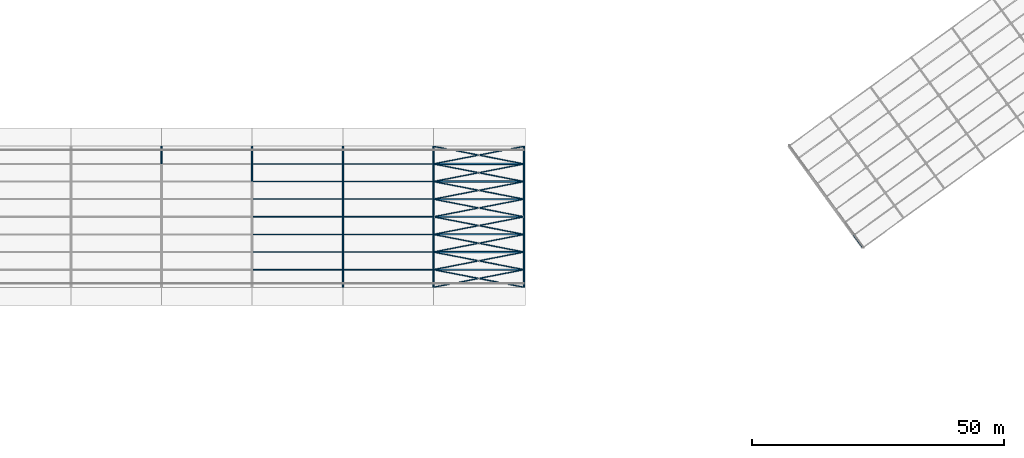
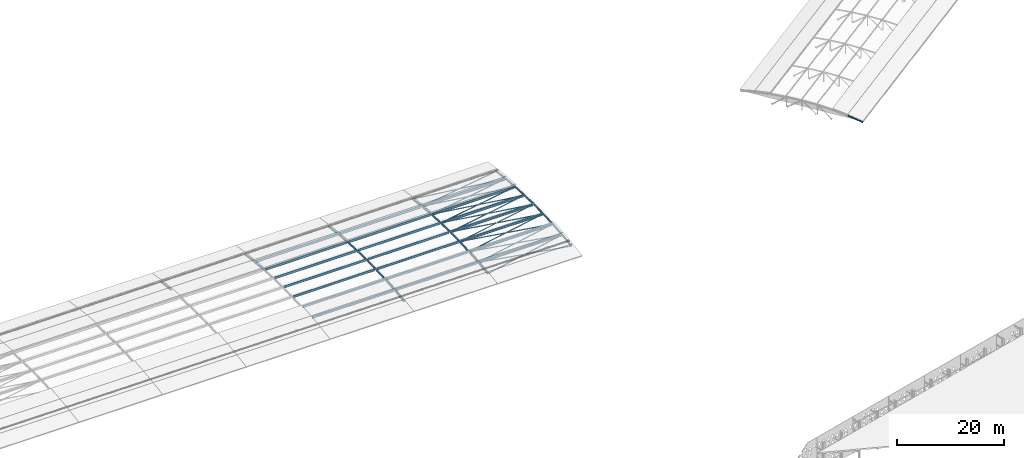
# One storey, part 10 of 41: 73 members.
"""IFC4 building model written with IfcOpenShell, lengths in metres."""

from ifc_helpers import new_model, si_unit, direction, frame, origin, origin_2d, place, context, subcontext, project, spatial, hollow_circle, i_section, extrude, material, material_profile, profile_set, type_object, element, save


model = new_model("IFC4")

# Units and contexts
model_context = context("Model", 3, precision=1e-05, world=origin(), true_north=direction((0.0, 1.0)))
body_context = subcontext(model_context, "Body", "Model", "MODEL_VIEW")
ifc_project = project(units=[si_unit("LENGTHUNIT", "METRE"), si_unit("AREAUNIT", "SQUARE_METRE"), si_unit("VOLUMEUNIT", "CUBIC_METRE"), si_unit("PLANEANGLEUNIT", "RADIAN"), si_unit("MASSUNIT", "GRAM", prefix="KILO")], contexts=[model_context])

# Site, building, storey
site_placement = place(None, origin())
site = spatial("IfcSite", under=ifc_project, at=site_placement, CompositionType="ELEMENT")
building_placement = place(site_placement, origin())
building = spatial("IfcBuilding", under=site, at=building_placement, Name="Okhra Congress Centre", CompositionType="ELEMENT")
storey_placement = place(building_placement, frame((0.0, 0.0, 21.60009765625)))
storey = spatial("IfcBuildingStorey", under=building, at=storey_placement, Name="ROOF", CompositionType="ELEMENT", Elevation=21.60009765625)

# Members
ifc_material_1 = material(Name="Steel S355J2H", Category="steel")
ifc_material_profile_1 = material_profile(ifc_material_1, hollow_circle(Radius=0.06982421875, WallThickness=0.00634765625, at=origin_2d()), Name="CHS 139.7x6.3")
ifc_profile_set_1 = profile_set([ifc_material_profile_1], Name="Steel S355J2H")
member_type_1 = type_object("IfcMemberType", Name="CHS 139.7x6.3", PredefinedType="BRACE", material=ifc_profile_set_1)
member_1_placement = place(storey_placement, frame((136.185546875, 160.0361328125, 0.204833984375), z_axis=(0.981335997403, 0.190809292648, 0.023905523203), x_axis=(-0.190863837306, 0.981616521667, 0.0)))
element("IfcMember", 1, at=member_1_placement, inside=storey, type_object=member_type_1, Name="EH.MEM.ROOF.XB7-09-1", PredefinedType="BRACE", context=body_context, shape_type="SweptSolid", body=[
    extrude(hollow_circle(Radius=0.06982421875, WallThickness=0.00634765625, at=origin_2d()), origin(), (0.0, 0.0, 1.0), 17.964111328125),
])
for number, where, z_axis, x_axis, name in (
    (2, (153.814453125, 160.0361328125, 0.204833984375), (-0.981337831942, 0.190800302671, 0.02390196853), (-0.190854828533, -0.981618273274, 0.0), "EH.MEM.ROOF.XB7-09-2a"),
    (3, (144.8359375, 161.781982421875, 0.423583984375), (-0.981337831942, 0.190800302671, 0.02390196853), (-0.190854828533, -0.981618273274, 0.0), "EH.MEM.ROOF.XB7-09-2b"),
):
    element("IfcMember", number, at=place(storey_placement, frame(where, z_axis=z_axis, x_axis=x_axis)), inside=storey, type_object=member_type_1, Name=name, PredefinedType="BRACE", context=body_context, shape_type="SweptSolid", body=[
        extrude(hollow_circle(Radius=0.06982421875, WallThickness=0.00634765625, at=origin_2d()), origin(), (0.0, 0.0, 1.0), 8.81494140625),
    ])
member_2_placement = place(storey_placement, frame((136.185546875, 163.5361328125, 0.64208984375), z_axis=(0.981474374154, 0.190836198387, 0.017017586922), x_axis=(-0.190863837306, 0.981616521667, 0.0)))
element("IfcMember", 4, at=member_2_placement, inside=storey, type_object=member_type_1, Name="EH.MEM.ROOF.XB7-10-1", PredefinedType="BRACE", context=body_context, shape_type="SweptSolid", body=[
    extrude(hollow_circle(Radius=0.06982421875, WallThickness=0.00634765625, at=origin_2d()), origin(), (0.0, 0.0, 1.0), 17.961669921875),
])
for number, where, z_axis, x_axis, name in (
    (5, (153.814453125, 163.5361328125, 0.64208984375), (-0.981474252507, 0.190837598801, 0.017008896163), (-0.190865209694, -0.981616254821, 0.0), "EH.MEM.ROOF.XB7-10-2a"),
    (6, (144.83544921875, 165.281982421875, 0.7978515625), (-0.981474252507, 0.190837598801, 0.017008896163), (-0.190865209694, -0.981616254821, 0.0), "EH.MEM.ROOF.XB7-10-2b"),
):
    element("IfcMember", number, at=place(storey_placement, frame(where, z_axis=z_axis, x_axis=x_axis)), inside=storey, type_object=member_type_1, Name=name, PredefinedType="BRACE", context=body_context, shape_type="SweptSolid", body=[
        extrude(hollow_circle(Radius=0.06982421875, WallThickness=0.00634765625, at=origin_2d()), origin(), (0.0, 0.0, 1.0), 8.813232421875),
    ])
member_3_placement = place(storey_placement, frame((136.185546875, 167.0361328125, 0.952880859375), z_axis=(0.981565640763, 0.19085394411, 0.010181595736), x_axis=(-0.190863837306, 0.981616521667, 0.0)))
element("IfcMember", 7, at=member_3_placement, inside=storey, type_object=member_type_1, Name="EH.MEM.ROOF.XB7-11-1", PredefinedType="BRACE", context=body_context, shape_type="SweptSolid", body=[
    extrude(hollow_circle(Radius=0.06982421875, WallThickness=0.00634765625, at=origin_2d()), origin(), (0.0, 0.0, 1.0), 17.9599609375),
])
for number, where, z_axis, x_axis, name in (
    (8, (153.814453125, 167.0361328125, 0.952880859375), (-0.981563213618, 0.190865670617, 0.010195756538), (-0.190875591963, -0.981614236038, 0.0), "EH.MEM.ROOF.XB7-11-2a"),
    (9, (144.8349609375, 168.781982421875, 1.046142578125), (-0.981563490516, 0.19086572446, 0.010168053546), (-0.190875591963, -0.981614236038, 0.0), "EH.MEM.ROOF.XB7-11-2b"),
):
    element("IfcMember", number, at=place(storey_placement, frame(where, z_axis=z_axis, x_axis=x_axis)), inside=storey, type_object=member_type_1, Name=name, PredefinedType="BRACE", context=body_context, shape_type="SweptSolid", body=[
        extrude(hollow_circle(Radius=0.06982421875, WallThickness=0.00634765625, at=origin_2d()), origin(), (0.0, 0.0, 1.0), 8.811767578125),
    ])
member_4_placement = place(storey_placement, frame((136.185546875, 170.5361328125, 1.138427734375), z_axis=(0.981610897995, 0.190862743849, 0.003384958919), x_axis=(-0.190863837306, 0.981616521667, 0.0)))
element("IfcMember", 10, at=member_4_placement, inside=storey, type_object=member_type_1, Name="EH.MEM.ROOF.XB7-12-1", PredefinedType="BRACE", context=body_context, shape_type="SweptSolid", body=[
    extrude(hollow_circle(Radius=0.06982421875, WallThickness=0.00634765625, at=origin_2d()), origin(), (0.0, 0.0, 1.0), 17.959228515625),
])
for number, where, z_axis, x_axis, name in (
    (11, (153.814453125, 170.5361328125, 1.138427734375), (-0.981612809395, 0.190852994358, 0.003380381143), (-0.190854084803, -0.981618417876, 0.0), "EH.MEM.ROOF.XB7-12-2a"),
    (12, (144.834716796875, 172.2822265625, 1.16943359375), (-0.981612809395, 0.190852994358, 0.003380381143), (-0.190854084803, -0.981618417876, 0.0), "EH.MEM.ROOF.XB7-12-2b"),
):
    element("IfcMember", number, at=place(storey_placement, frame(where, z_axis=z_axis, x_axis=x_axis)), inside=storey, type_object=member_type_1, Name=name, PredefinedType="BRACE", context=body_context, shape_type="SweptSolid", body=[
        extrude(hollow_circle(Radius=0.06982421875, WallThickness=0.00634765625, at=origin_2d()), origin(), (0.0, 0.0, 1.0), 8.811279296875),
    ])
member_5_placement = place(storey_placement, frame((136.185546875, 174.0361328125, 1.19921875), z_axis=(0.981610897995, 0.190862743849, -0.003384958919), x_axis=(-0.190863837306, 0.981616521667, 0.0)))
element("IfcMember", 13, at=member_5_placement, inside=storey, type_object=member_type_1, Name="EH.MEM.ROOF.XB7-13-1", PredefinedType="BRACE", context=body_context, shape_type="SweptSolid", body=[
    extrude(hollow_circle(Radius=0.06982421875, WallThickness=0.00634765625, at=origin_2d()), origin(), (0.0, 0.0, 1.0), 17.959228515625),
])
for number, where, z_axis, x_axis, name in (
    (14, (153.814453125, 174.0361328125, 1.19921875), (-0.981612809395, 0.190852994358, -0.003380381143), (-0.190854084803, -0.981618417876, 0.0), "EH.MEM.ROOF.XB7-13-2a"),
    (15, (144.834716796875, 175.7822265625, 1.168212890625), (-0.981612809395, 0.190852994358, -0.003380381143), (-0.190854084803, -0.981618417876, 0.0), "EH.MEM.ROOF.XB7-13-2b"),
):
    element("IfcMember", number, at=place(storey_placement, frame(where, z_axis=z_axis, x_axis=x_axis)), inside=storey, type_object=member_type_1, Name=name, PredefinedType="BRACE", context=body_context, shape_type="SweptSolid", body=[
        extrude(hollow_circle(Radius=0.06982421875, WallThickness=0.00634765625, at=origin_2d()), origin(), (0.0, 0.0, 1.0), 8.811279296875),
    ])
member_6_placement = place(storey_placement, frame((136.185546875, 177.5361328125, 1.1357421875), z_axis=(0.981565640763, 0.19085394411, -0.010181595736), x_axis=(-0.190863837306, 0.981616521667, 0.0)))
element("IfcMember", 16, at=member_6_placement, inside=storey, type_object=member_type_1, Name="EH.MEM.ROOF.XB7-14-1", PredefinedType="BRACE", context=body_context, shape_type="SweptSolid", body=[
    extrude(hollow_circle(Radius=0.06982421875, WallThickness=0.00634765625, at=origin_2d()), origin(), (0.0, 0.0, 1.0), 17.9599609375),
])
for number, where, z_axis, x_axis, name in (
    (17, (153.814453125, 177.5361328125, 1.1357421875), (-0.981563490516, 0.19086572446, -0.010168053546), (-0.190875591963, -0.981614236038, 0.0), "EH.MEM.ROOF.XB7-14-2a"),
    (18, (144.8349609375, 179.281982421875, 1.042724609375), (-0.981563213618, 0.190865670617, -0.010195756538), (-0.190875591963, -0.981614236038, 0.0), "EH.MEM.ROOF.XB7-14-2b"),
):
    element("IfcMember", number, at=place(storey_placement, frame(where, z_axis=z_axis, x_axis=x_axis)), inside=storey, type_object=member_type_1, Name=name, PredefinedType="BRACE", context=body_context, shape_type="SweptSolid", body=[
        extrude(hollow_circle(Radius=0.06982421875, WallThickness=0.00634765625, at=origin_2d()), origin(), (0.0, 0.0, 1.0), 8.811767578125),
    ])
member_7_placement = place(storey_placement, frame((136.185546875, 181.0361328125, 0.94775390625), z_axis=(0.981474374154, 0.190836198387, -0.017017586922), x_axis=(-0.190863837306, 0.981616521667, 0.0)))
element("IfcMember", 19, at=member_7_placement, inside=storey, type_object=member_type_1, Name="EH.MEM.ROOF.XB7-15-1", PredefinedType="BRACE", context=body_context, shape_type="SweptSolid", body=[
    extrude(hollow_circle(Radius=0.06982421875, WallThickness=0.00634765625, at=origin_2d()), origin(), (0.0, 0.0, 1.0), 17.961669921875),
])
for number, where, z_axis, x_axis, name in (
    (20, (153.814453125, 181.0361328125, 0.94775390625), (-0.981474252507, 0.190837598801, -0.017008896163), (-0.190865209694, -0.981616254821, 0.0), "EH.MEM.ROOF.XB7-15-2a"),
    (21, (144.83544921875, 182.781982421875, 0.7919921875), (-0.981474252507, 0.190837598801, -0.017008896163), (-0.190865209694, -0.981616254821, 0.0), "EH.MEM.ROOF.XB7-15-2b"),
):
    element("IfcMember", number, at=place(storey_placement, frame(where, z_axis=z_axis, x_axis=x_axis)), inside=storey, type_object=member_type_1, Name=name, PredefinedType="BRACE", context=body_context, shape_type="SweptSolid", body=[
        extrude(hollow_circle(Radius=0.06982421875, WallThickness=0.00634765625, at=origin_2d()), origin(), (0.0, 0.0, 1.0), 8.813232421875),
    ])
member_8_placement = place(storey_placement, frame((136.185546875, 184.5361328125, 0.63427734375), z_axis=(0.981335997403, 0.190809292648, -0.023905523203), x_axis=(-0.190863837306, 0.981616521667, 0.0)))
element("IfcMember", 22, at=member_8_placement, inside=storey, type_object=member_type_1, Name="EH.MEM.ROOF.XB7-16-1", PredefinedType="BRACE", context=body_context, shape_type="SweptSolid", body=[
    extrude(hollow_circle(Radius=0.06982421875, WallThickness=0.00634765625, at=origin_2d()), origin(), (0.0, 0.0, 1.0), 17.964111328125),
])
for number, where, z_axis, x_axis, name in (
    (23, (153.814453125, 184.5361328125, 0.63427734375), (-0.981337831942, 0.190800302671, -0.02390196853), (-0.190854828533, -0.981618273274, 0.0), "EH.MEM.ROOF.XB7-16-2a"),
    (24, (144.8359375, 186.281982421875, 0.41552734375), (-0.981337831942, 0.190800302671, -0.02390196853), (-0.190854828533, -0.981618273274, 0.0), "EH.MEM.ROOF.XB7-16-2b"),
):
    element("IfcMember", number, at=place(storey_placement, frame(where, z_axis=z_axis, x_axis=x_axis)), inside=storey, type_object=member_type_1, Name=name, PredefinedType="BRACE", context=body_context, shape_type="SweptSolid", body=[
        extrude(hollow_circle(Radius=0.06982421875, WallThickness=0.00634765625, at=origin_2d()), origin(), (0.0, 0.0, 1.0), 8.81494140625),
    ])
ifc_material_profile_2 = material_profile(ifc_material_1, hollow_circle(Radius=0.161865234375, WallThickness=0.012451171875, at=origin_2d()), Name="CHS 323.9x12.5")
ifc_profile_set_2 = profile_set([ifc_material_profile_2], Name="Steel S355J2H")
member_type_2 = type_object("IfcMemberType", Name="CHS 323.9x12.5", PredefinedType="CHORD", material=ifc_profile_set_2)
member_9_placement = place(storey_placement, frame((221.260009765625, 167.87744140625, 0.029052734375), z_axis=(-0.575629649566, 0.792326309435, 0.202162127805), x_axis=(-0.80903112876, -0.587765797488, 0.0)))
element("IfcMember", 25, at=member_9_placement, inside=storey, type_object=member_type_2, Name="Truss 1 top chord 6", PredefinedType="CHORD", context=body_context, shape_type="SweptSolid", body=[
    extrude(hollow_circle(Radius=0.161865234375, WallThickness=0.012451171875, at=origin_2d()), origin(), (0.0, 0.0, 1.0), 3.14111328125),
])
ifc_material_profile_3 = material_profile(ifc_material_1, hollow_circle(Radius=0.203125, WallThickness=0.02001953125, at=origin_2d()), Name="CHS 406.4x20.0")
ifc_profile_set_3 = profile_set([ifc_material_profile_3], Name="Steel S355J2H")
member_type_3 = type_object("IfcMemberType", Name="CHS 406.4x20.0", PredefinedType="CHORD", material=ifc_profile_set_3)
member_10_placement = place(storey_placement, frame((82.0, 184.5, 0.638916015625), z_axis=(0.0, 0.992235225695, -0.124375467395), x_axis=(-1.0, 0.0, 0.0)))
element("IfcMember", 26, at=member_10_placement, inside=storey, type_object=member_type_3, Name="EH.MEM.ROOF.T4-TOP-16", PredefinedType="CHORD", context=body_context, shape_type="SweptSolid", body=[
    extrude(hollow_circle(Radius=0.203125, WallThickness=0.02001953125, at=origin_2d()), origin(), (0.0, 0.0, 1.0), 3.52734375),
])
member_11_placement = place(storey_placement, frame((100.0, 181.0, 0.950927734375), z_axis=(0.0, 0.996050004601, -0.088794078256), x_axis=(-1.0, 0.0, 0.0)))
element("IfcMember", 27, at=member_11_placement, inside=storey, type_object=member_type_3, Name="EH.MEM.ROOF.T5-TOP-15", PredefinedType="CHORD", context=body_context, shape_type="SweptSolid", body=[
    extrude(hollow_circle(Radius=0.203125, WallThickness=0.02001953125, at=origin_2d()), origin(), (0.0, 0.0, 1.0), 3.513916015625),
])
for number, where, z_axis, x_axis, name in (
    (28, (100.0, 184.5, 0.638916015625), (0.0, 0.992235225695, -0.124375467395), (-1.0, 0.0, 0.0), "EH.MEM.ROOF.T5-TOP-16"),
    (29, (118.0, 160.0, 0.2001953125), (0.0, 0.992235225695, 0.124375467395), (-1.0, 0.0, 0.0), "EH.MEM.ROOF.T6-TOP-09"),
):
    element("IfcMember", number, at=place(storey_placement, frame(where, z_axis=z_axis, x_axis=x_axis)), inside=storey, type_object=member_type_3, Name=name, PredefinedType="CHORD", context=body_context, shape_type="SweptSolid", body=[
        extrude(hollow_circle(Radius=0.203125, WallThickness=0.02001953125, at=origin_2d()), origin(), (0.0, 0.0, 1.0), 3.52734375),
    ])
member_12_placement = place(storey_placement, frame((118.0, 163.5, 0.638916015625), z_axis=(0.0, 0.996050004601, 0.088794078256), x_axis=(-1.0, 0.0, 0.0)))
element("IfcMember", 30, at=member_12_placement, inside=storey, type_object=member_type_3, Name="EH.MEM.ROOF.T6-TOP-10", PredefinedType="CHORD", context=body_context, shape_type="SweptSolid", body=[
    extrude(hollow_circle(Radius=0.203125, WallThickness=0.02001953125, at=origin_2d()), origin(), (0.0, 0.0, 1.0), 3.513916015625),
])
member_13_placement = place(storey_placement, frame((118.0, 167.0, 0.950927734375), z_axis=(0.0, 0.998579273107, 0.053286352115), x_axis=(-1.0, 0.0, 0.0)))
element("IfcMember", 31, at=member_13_placement, inside=storey, type_object=member_type_3, Name="EH.MEM.ROOF.T6-TOP-11", PredefinedType="CHORD", context=body_context, shape_type="SweptSolid", body=[
    extrude(hollow_circle(Radius=0.203125, WallThickness=0.02001953125, at=origin_2d()), origin(), (0.0, 0.0, 1.0), 3.5048828125),
])
for number, where, z_axis, x_axis, name in (
    (32, (118.0, 170.5, 1.1376953125), (0.0, 0.999841841936, 0.017784575174), (-1.0, 0.0, 0.0), "EH.MEM.ROOF.T6-TOP-12"),
    (33, (118.0, 174.0, 1.199951171875), (0.0, 0.999841841936, -0.017784575174), (-1.0, 0.0, 0.0), "EH.MEM.ROOF.T6-TOP-13"),
):
    element("IfcMember", number, at=place(storey_placement, frame(where, z_axis=z_axis, x_axis=x_axis)), inside=storey, type_object=member_type_3, Name=name, PredefinedType="CHORD", context=body_context, shape_type="SweptSolid", body=[
        extrude(hollow_circle(Radius=0.203125, WallThickness=0.02001953125, at=origin_2d()), origin(), (0.0, 0.0, 1.0), 3.50048828125),
    ])
member_14_placement = place(storey_placement, frame((118.0, 177.5, 1.1376953125), z_axis=(0.0, 0.998579273107, -0.053286352115), x_axis=(-1.0, 0.0, 0.0)))
element("IfcMember", 34, at=member_14_placement, inside=storey, type_object=member_type_3, Name="EH.MEM.ROOF.T6-TOP-14", PredefinedType="CHORD", context=body_context, shape_type="SweptSolid", body=[
    extrude(hollow_circle(Radius=0.203125, WallThickness=0.02001953125, at=origin_2d()), origin(), (0.0, 0.0, 1.0), 3.5048828125),
])
member_15_placement = place(storey_placement, frame((118.0, 181.0, 0.950927734375), z_axis=(0.0, 0.996050004601, -0.088794078256), x_axis=(-1.0, 0.0, 0.0)))
element("IfcMember", 35, at=member_15_placement, inside=storey, type_object=member_type_3, Name="EH.MEM.ROOF.T6-TOP-15", PredefinedType="CHORD", context=body_context, shape_type="SweptSolid", body=[
    extrude(hollow_circle(Radius=0.203125, WallThickness=0.02001953125, at=origin_2d()), origin(), (0.0, 0.0, 1.0), 3.513916015625),
])
for number, where, z_axis, x_axis, name in (
    (36, (118.0, 184.5, 0.638916015625), (0.0, 0.992235225695, -0.124375467395), (-1.0, 0.0, 0.0), "EH.MEM.ROOF.T6-TOP-16"),
    (37, (136.0, 160.0, 0.2001953125), (0.0, 0.992235225695, 0.124375467395), (-1.0, 0.0, 0.0), "EH.MEM.ROOF.T7-TOP-09"),
):
    element("IfcMember", number, at=place(storey_placement, frame(where, z_axis=z_axis, x_axis=x_axis)), inside=storey, type_object=member_type_3, Name=name, PredefinedType="CHORD", context=body_context, shape_type="SweptSolid", body=[
        extrude(hollow_circle(Radius=0.203125, WallThickness=0.02001953125, at=origin_2d()), origin(), (0.0, 0.0, 1.0), 3.52734375),
    ])
member_16_placement = place(storey_placement, frame((136.0, 163.5, 0.638916015625), z_axis=(0.0, 0.996050004601, 0.088794078256), x_axis=(-1.0, 0.0, 0.0)))
element("IfcMember", 38, at=member_16_placement, inside=storey, type_object=member_type_3, Name="EH.MEM.ROOF.T7-TOP-10", PredefinedType="CHORD", context=body_context, shape_type="SweptSolid", body=[
    extrude(hollow_circle(Radius=0.203125, WallThickness=0.02001953125, at=origin_2d()), origin(), (0.0, 0.0, 1.0), 3.513916015625),
])
member_17_placement = place(storey_placement, frame((136.0, 167.0, 0.950927734375), z_axis=(0.0, 0.998579273107, 0.053286352115), x_axis=(-1.0, 0.0, 0.0)))
element("IfcMember", 39, at=member_17_placement, inside=storey, type_object=member_type_3, Name="EH.MEM.ROOF.T7-TOP-11", PredefinedType="CHORD", context=body_context, shape_type="SweptSolid", body=[
    extrude(hollow_circle(Radius=0.203125, WallThickness=0.02001953125, at=origin_2d()), origin(), (0.0, 0.0, 1.0), 3.5048828125),
])
for number, where, z_axis, x_axis, name in (
    (40, (136.0, 170.5, 1.1376953125), (0.0, 0.999841841936, 0.017784575174), (-1.0, 0.0, 0.0), "EH.MEM.ROOF.T7-TOP-12"),
    (41, (136.0, 174.0, 1.199951171875), (0.0, 0.999841841936, -0.017784575174), (-1.0, 0.0, 0.0), "EH.MEM.ROOF.T7-TOP-13"),
):
    element("IfcMember", number, at=place(storey_placement, frame(where, z_axis=z_axis, x_axis=x_axis)), inside=storey, type_object=member_type_3, Name=name, PredefinedType="CHORD", context=body_context, shape_type="SweptSolid", body=[
        extrude(hollow_circle(Radius=0.203125, WallThickness=0.02001953125, at=origin_2d()), origin(), (0.0, 0.0, 1.0), 3.50048828125),
    ])
member_18_placement = place(storey_placement, frame((136.0, 177.5, 1.1376953125), z_axis=(0.0, 0.998579273107, -0.053286352115), x_axis=(-1.0, 0.0, 0.0)))
element("IfcMember", 42, at=member_18_placement, inside=storey, type_object=member_type_3, Name="EH.MEM.ROOF.T7-TOP-14", PredefinedType="CHORD", context=body_context, shape_type="SweptSolid", body=[
    extrude(hollow_circle(Radius=0.203125, WallThickness=0.02001953125, at=origin_2d()), origin(), (0.0, 0.0, 1.0), 3.5048828125),
])
member_19_placement = place(storey_placement, frame((136.0, 181.0, 0.950927734375), z_axis=(0.0, 0.996050004601, -0.088794078256), x_axis=(-1.0, 0.0, 0.0)))
element("IfcMember", 43, at=member_19_placement, inside=storey, type_object=member_type_3, Name="EH.MEM.ROOF.T7-TOP-15", PredefinedType="CHORD", context=body_context, shape_type="SweptSolid", body=[
    extrude(hollow_circle(Radius=0.203125, WallThickness=0.02001953125, at=origin_2d()), origin(), (0.0, 0.0, 1.0), 3.513916015625),
])
for number, where, z_axis, x_axis, name in (
    (44, (136.0, 184.5, 0.638916015625), (0.0, 0.992235225695, -0.124375467395), (-1.0, 0.0, 0.0), "EH.MEM.ROOF.T7-TOP-16"),
    (45, (154.0, 160.0, 0.2001953125), (0.0, 0.992235225695, 0.124375467395), (-1.0, 0.0, 0.0), "EH.MEM.ROOF.T8-TOP-09"),
):
    element("IfcMember", number, at=place(storey_placement, frame(where, z_axis=z_axis, x_axis=x_axis)), inside=storey, type_object=member_type_3, Name=name, PredefinedType="CHORD", context=body_context, shape_type="SweptSolid", body=[
        extrude(hollow_circle(Radius=0.203125, WallThickness=0.02001953125, at=origin_2d()), origin(), (0.0, 0.0, 1.0), 3.52734375),
    ])
member_20_placement = place(storey_placement, frame((154.0, 163.5, 0.638916015625), z_axis=(0.0, 0.996050004601, 0.088794078256), x_axis=(-1.0, 0.0, 0.0)))
element("IfcMember", 46, at=member_20_placement, inside=storey, type_object=member_type_3, Name="EH.MEM.ROOF.T8-TOP-10", PredefinedType="CHORD", context=body_context, shape_type="SweptSolid", body=[
    extrude(hollow_circle(Radius=0.203125, WallThickness=0.02001953125, at=origin_2d()), origin(), (0.0, 0.0, 1.0), 3.513916015625),
])
member_21_placement = place(storey_placement, frame((154.0, 167.0, 0.950927734375), z_axis=(0.0, 0.998579273107, 0.053286352115), x_axis=(-1.0, 0.0, 0.0)))
element("IfcMember", 47, at=member_21_placement, inside=storey, type_object=member_type_3, Name="EH.MEM.ROOF.T8-TOP-11", PredefinedType="CHORD", context=body_context, shape_type="SweptSolid", body=[
    extrude(hollow_circle(Radius=0.203125, WallThickness=0.02001953125, at=origin_2d()), origin(), (0.0, 0.0, 1.0), 3.5048828125),
])
for number, where, z_axis, x_axis, name in (
    (48, (154.0, 170.5, 1.1376953125), (0.0, 0.999841841936, 0.017784575174), (-1.0, 0.0, 0.0), "EH.MEM.ROOF.T8-TOP-12"),
    (49, (154.0, 174.0, 1.199951171875), (0.0, 0.999841841936, -0.017784575174), (-1.0, 0.0, 0.0), "EH.MEM.ROOF.T8-TOP-13"),
):
    element("IfcMember", number, at=place(storey_placement, frame(where, z_axis=z_axis, x_axis=x_axis)), inside=storey, type_object=member_type_3, Name=name, PredefinedType="CHORD", context=body_context, shape_type="SweptSolid", body=[
        extrude(hollow_circle(Radius=0.203125, WallThickness=0.02001953125, at=origin_2d()), origin(), (0.0, 0.0, 1.0), 3.50048828125),
    ])
member_22_placement = place(storey_placement, frame((154.0, 177.5, 1.1376953125), z_axis=(0.0, 0.998579273107, -0.053286352115), x_axis=(-1.0, 0.0, 0.0)))
element("IfcMember", 50, at=member_22_placement, inside=storey, type_object=member_type_3, Name="EH.MEM.ROOF.T8-TOP-14", PredefinedType="CHORD", context=body_context, shape_type="SweptSolid", body=[
    extrude(hollow_circle(Radius=0.203125, WallThickness=0.02001953125, at=origin_2d()), origin(), (0.0, 0.0, 1.0), 3.5048828125),
])
member_23_placement = place(storey_placement, frame((154.0, 181.0, 0.950927734375), z_axis=(0.0, 0.996050004601, -0.088794078256), x_axis=(-1.0, 0.0, 0.0)))
element("IfcMember", 51, at=member_23_placement, inside=storey, type_object=member_type_3, Name="EH.MEM.ROOF.T8-TOP-15", PredefinedType="CHORD", context=body_context, shape_type="SweptSolid", body=[
    extrude(hollow_circle(Radius=0.203125, WallThickness=0.02001953125, at=origin_2d()), origin(), (0.0, 0.0, 1.0), 3.513916015625),
])
member_24_placement = place(storey_placement, frame((154.0, 184.5, 0.638916015625), z_axis=(0.0, 0.992235225695, -0.124375467395), x_axis=(-1.0, 0.0, 0.0)))
element("IfcMember", 52, at=member_24_placement, inside=storey, type_object=member_type_3, Name="EH.MEM.ROOF.T8-TOP-16", PredefinedType="CHORD", context=body_context, shape_type="SweptSolid", body=[
    extrude(hollow_circle(Radius=0.203125, WallThickness=0.02001953125, at=origin_2d()), origin(), (0.0, 0.0, 1.0), 3.52734375),
])
ifc_material_2 = material(Name="Steel S355J2", Category="steel")
ifc_material_profile_4 = material_profile(ifc_material_2, i_section(OverallWidth=0.300048828125, OverallDepth=0.5, WebThickness=0.014404296875, FlangeThickness=0.028076171875, at=origin_2d()), Name="HE 500 B")
ifc_profile_set_4 = profile_set([ifc_material_profile_4], Name="Steel S355J2")
member_type_4 = type_object("IfcMemberType", Name="HE 500 B", PredefinedType="PURLIN", material=ifc_profile_set_4)
for number, where, z_axis, x_axis, name in (
    (53, (136.203125, 163.5, 0.638916015625), (1.0, 0.0, 0.0), (0.0, 0.994301901121, 0.10660079468), "EH.MEM.ROOF.PU7-10"),
    (54, (136.203125, 167.0, 0.950927734375), (1.0, 0.0, 0.0), (0.0, 0.99747154049, 0.071067052226), "EH.MEM.ROOF.PU7-11"),
    (55, (136.203125, 170.5, 1.1376953125), (1.0, 0.0, 0.0), (0.0, 0.999368486378, 0.035533483284), "EH.MEM.ROOF.PU7-12"),
    (56, (136.203125, 174.0, 1.199951171875), (1.0, 0.0, 0.0), (0.0, 1.0, 0.0), "EH.MEM.ROOF.PU7-13"),
    (57, (136.203125, 177.5, 1.1376953125), (1.0, 0.0, 0.0), (0.0, 0.999368486378, -0.035533483284), "EH.MEM.ROOF.PU7-14"),
    (58, (136.203125, 181.0, 0.950927734375), (1.0, 0.0, 0.0), (0.0, 0.99747154049, -0.071067052226), "EH.MEM.ROOF.PU7-15"),
    (59, (136.203125, 184.5, 0.638916015625), (1.0, 0.0, 0.0), (0.0, 0.994301901121, -0.10660079468), "EH.MEM.ROOF.PU7-16"),
):
    element("IfcMember", number, at=place(storey_placement, frame(where, z_axis=z_axis, x_axis=x_axis)), inside=storey, type_object=member_type_4, Name=name, PredefinedType="PURLIN", context=body_context, shape_type="SweptSolid", body=[
        extrude(i_section(OverallWidth=0.300048828125, OverallDepth=0.5, WebThickness=0.014404296875, FlangeThickness=0.028076171875, at=origin_2d()), origin(), (0.0, 0.0, 1.0), 17.59375),
    ])
ifc_material_profile_5 = material_profile(ifc_material_2, i_section(OverallWidth=0.199951171875, OverallDepth=0.5, WebThickness=0.01025390625, FlangeThickness=0.01611328125, at=origin_2d()), Name="IPE 500")
ifc_profile_set_5 = profile_set([ifc_material_profile_5], Name="Steel S355J2")
member_type_5 = type_object("IfcMemberType", Name="IPE 500", PredefinedType="PURLIN", material=ifc_profile_set_5)
for number, where, z_axis, x_axis, name in (
    (60, (100.203125, 163.5, 0.638916015625), (1.0, 0.0, 0.0), (0.0, 0.994301901121, 0.10660079468), "EH.MEM.ROOF.PU5-10"),
    (61, (100.203125, 167.0, 0.950927734375), (1.0, 0.0, 0.0), (0.0, 0.99747154049, 0.071067052226), "EH.MEM.ROOF.PU5-11"),
    (62, (100.203125, 170.5, 1.1376953125), (1.0, 0.0, 0.0), (0.0, 0.999368486378, 0.035533483284), "EH.MEM.ROOF.PU5-12"),
    (63, (100.203125, 174.0, 1.199951171875), (1.0, 0.0, 0.0), (0.0, 1.0, 0.0), "EH.MEM.ROOF.PU5-13"),
    (64, (100.203125, 177.5, 1.1376953125), (1.0, 0.0, 0.0), (0.0, 0.999368486378, -0.035533483284), "EH.MEM.ROOF.PU5-14"),
    (65, (100.203125, 181.0, 0.950927734375), (1.0, 0.0, 0.0), (0.0, 0.99747154049, -0.071067052226), "EH.MEM.ROOF.PU5-15"),
    (66, (100.203125, 184.5, 0.638916015625), (1.0, 0.0, 0.0), (0.0, 0.994301901121, -0.10660079468), "EH.MEM.ROOF.PU5-16"),
    (67, (118.203125, 163.5, 0.638916015625), (1.0, 0.0, 0.0), (0.0, 0.994301901121, 0.10660079468), "EH.MEM.ROOF.PU6-10"),
    (68, (118.203125, 167.0, 0.950927734375), (1.0, 0.0, 0.0), (0.0, 0.99747154049, 0.071067052226), "EH.MEM.ROOF.PU6-11"),
    (69, (118.203125, 170.5, 1.1376953125), (1.0, 0.0, 0.0), (0.0, 0.999368486378, 0.035533483284), "EH.MEM.ROOF.PU6-12"),
    (70, (118.203125, 174.0, 1.199951171875), (1.0, 0.0, 0.0), (0.0, 1.0, 0.0), "EH.MEM.ROOF.PU6-13"),
    (71, (118.203125, 177.5, 1.1376953125), (1.0, 0.0, 0.0), (0.0, 0.999368486378, -0.035533483284), "EH.MEM.ROOF.PU6-14"),
    (72, (118.203125, 181.0, 0.950927734375), (1.0, 0.0, 0.0), (0.0, 0.99747154049, -0.071067052226), "EH.MEM.ROOF.PU6-15"),
    (73, (118.203125, 184.5, 0.638916015625), (1.0, 0.0, 0.0), (0.0, 0.994301901121, -0.10660079468), "EH.MEM.ROOF.PU6-16"),
):
    element("IfcMember", number, at=place(storey_placement, frame(where, z_axis=z_axis, x_axis=x_axis)), inside=storey, type_object=member_type_5, Name=name, PredefinedType="PURLIN", context=body_context, shape_type="SweptSolid", body=[
        extrude(i_section(OverallWidth=0.199951171875, OverallDepth=0.5, WebThickness=0.01025390625, FlangeThickness=0.01611328125, at=origin_2d()), origin(), (0.0, 0.0, 1.0), 17.59375),
    ])

save(model, "model.ifc")
